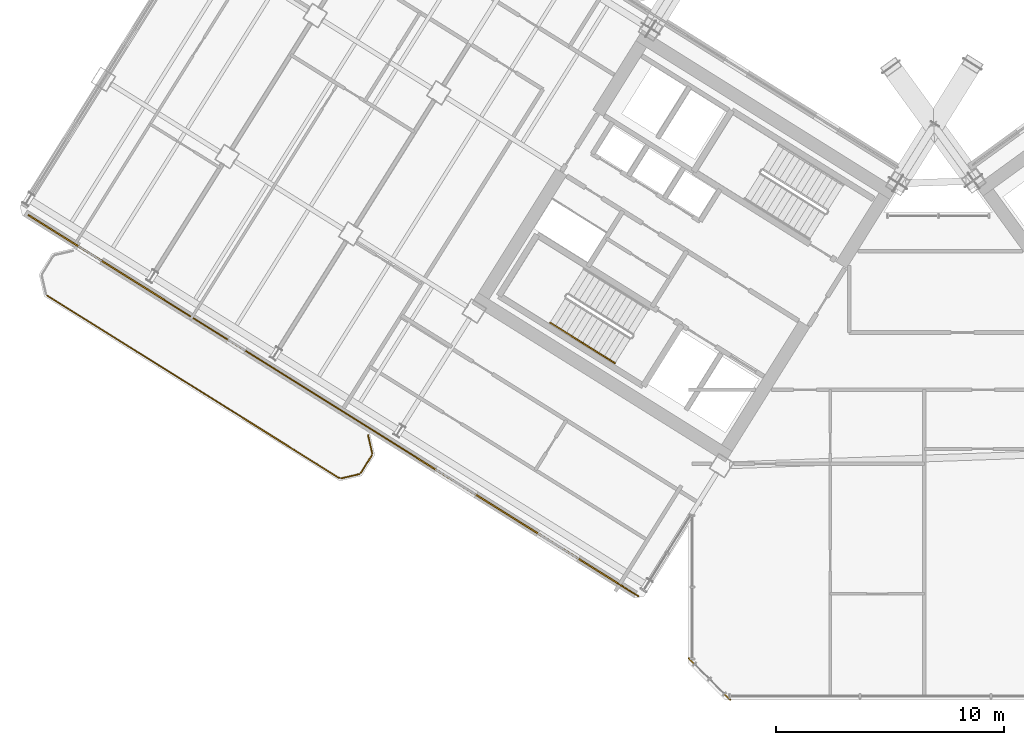
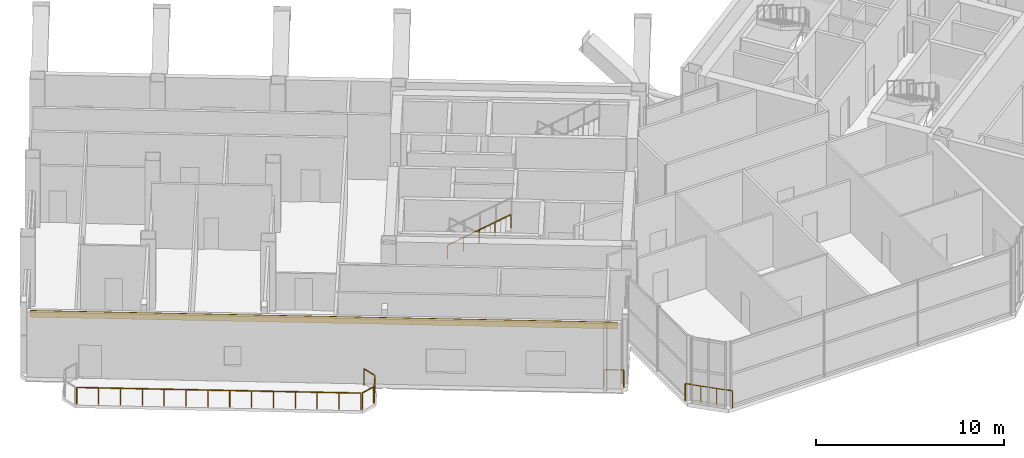
# One storey, part 28 of 34: 8 railings, 1 covering.
"""IFC4 building model written with IfcOpenShell, lengths in metres."""

from ifc_helpers import new_model, si_unit, direction, frame, origin, origin_2d, place, context, subcontext, project, spatial, rectangle, extrude, source, transform, mapped, material, layer, layer_set, type_object, element, save


model = new_model("IFC4")

# Units and contexts
model_context = context("Model", 3, precision=1e-05, world=origin(), true_north=direction((0.0, 1.0)))
body_context = subcontext(model_context, "Body", "Model", "MODEL_VIEW")
ifc_project = project(units=[si_unit("LENGTHUNIT", "METRE"), si_unit("AREAUNIT", "SQUARE_METRE"), si_unit("VOLUMEUNIT", "CUBIC_METRE"), si_unit("PLANEANGLEUNIT", "RADIAN"), si_unit("MASSUNIT", "GRAM", prefix="KILO")], contexts=[model_context])

# Site, building, storey
site_placement = place(None, origin())
site = spatial("IfcSite", under=ifc_project, at=site_placement, CompositionType="ELEMENT")
building_placement = place(site_placement, origin())
building = spatial("IfcBuilding", under=site, at=building_placement, Name="Tlacorven Tower", CompositionType="ELEMENT")
storey_placement = place(building_placement, frame((0.0, 0.0, 174.89990234375)))
storey = spatial("IfcBuildingStorey", under=building, at=storey_placement, Name="L44", CompositionType="ELEMENT", Elevation=174.89990234375)

# Railings
ifc_material_1 = material(Name="Aluminium and painted steel balustrade", Category="steel")
railing_type_1 = type_object("IfcRailingType", Name="RL-BAL-1100", PredefinedType="BALUSTRADE", material=ifc_material_1)
shared_shape_1 = source(origin(), body_context, "Body", "SweptSolid", [
    extrude(rectangle(XDim=0.048095703125, YDim=0.048095703125, at=origin_2d()), frame((0.0, 0.0, 1.076171875), z_axis=(0.225058334816, -0.974345290916, 0.0), x_axis=(0.974345290916, 0.225058334816, 0.0)), (0.0, 0.0, 1.0), 0.80712890625),
    extrude(rectangle(XDim=0.0419921875, YDim=0.0419921875, at=origin_2d()), origin(), (0.0, 0.0, 1.0), 1.052001953125),
    extrude(rectangle(XDim=0.0419921875, YDim=0.0419921875, at=origin_2d()), frame((0.181640625, -0.786376953125, 0.0)), (0.0, 0.0, 1.0), 1.052001953125),
])
railing_1_placement = place(storey_placement, frame((17.5244140625, 13.413330078125, 0.0)))
element("IfcRailing", 1, at=railing_1_placement, inside=storey, type_object=railing_type_1, Name="BAL-L44-W-OUT Guard Railing 1", PredefinedType="BALUSTRADE", context=body_context, shape_type="MappedRepresentation", body=[
    mapped(shared_shape_1, transform((0.0, 0.0, 0.0), scale=1.0)),
])
shared_shape_2 = source(origin(), body_context, "Body", "SweptSolid", [
    extrude(rectangle(XDim=0.048095703125, YDim=0.048095703125, at=origin_2d()), frame((0.0, 0.0, 1.076171875), z_axis=(-0.52987865805, -0.848073468364, 0.0), x_axis=(0.848073468364, -0.52987865805, 0.0)), (0.0, 0.0, 1.0), 0.912353515625),
    extrude(rectangle(XDim=0.0419921875, YDim=0.0419921875, at=origin_2d()), origin(), (0.0, 0.0, 1.0), 1.052001953125),
    extrude(rectangle(XDim=0.0419921875, YDim=0.0419921875, at=origin_2d()), frame((-0.4833984375, -0.773681640625, 0.0)), (0.0, 0.0, 1.0), 1.052001953125),
])
railing_2_placement = place(storey_placement, frame((17.690673828125, 12.535888671875, 0.0)))
element("IfcRailing", 2, at=railing_2_placement, inside=storey, type_object=railing_type_1, Name="BAL-L44-W-OUT Guard Railing 2", PredefinedType="BALUSTRADE", context=body_context, shape_type="MappedRepresentation", body=[
    mapped(shared_shape_2, transform((0.0, 0.0, 0.0), scale=1.0)),
])
shared_shape_3 = source(origin(), body_context, "Body", "SweptSolid", [
    extrude(rectangle(XDim=0.048095703125, YDim=0.048095703125, at=origin_2d()), frame((0.0, 0.0, 1.076171875), z_axis=(-0.974411586182, -0.224771129628, 0.0), x_axis=(0.224771129628, -0.974411586182, 0.0)), (0.0, 0.0, 1.0), 0.80712890625),
    extrude(rectangle(XDim=0.0419921875, YDim=0.0419921875, at=origin_2d()), origin(), (0.0, 0.0, 1.0), 1.052001953125),
    extrude(rectangle(XDim=0.0419921875, YDim=0.0419921875, at=origin_2d()), frame((-0.786376953125, -0.181396484375, 0.0)), (0.0, 0.0, 1.0), 1.052001953125),
])
railing_3_placement = place(storey_placement, frame((17.132080078125, 11.70849609375, 0.0)))
element("IfcRailing", 3, at=railing_3_placement, inside=storey, type_object=railing_type_1, Name="BAL-L44-W-OUT Guard Railing 3", PredefinedType="BALUSTRADE", context=body_context, shape_type="MappedRepresentation", body=[
    mapped(shared_shape_3, transform((0.0, 0.0, 0.0), scale=1.0)),
])
shared_shape_4 = source(origin(), body_context, "Body", "SweptSolid", [
    extrude(rectangle(XDim=0.048095703125, YDim=0.048095703125, at=origin_2d()), frame((0.0, 0.0, 1.076171875), z_axis=(-0.848044572804, 0.529924902733, 0.0), x_axis=(-0.529924902733, -0.848044572804, 0.0)), (0.0, 0.0, 1.0), 15.1171875),
    extrude(rectangle(XDim=0.0419921875, YDim=0.0419921875, at=origin_2d()), origin(), (0.0, 0.0, 1.0), 1.052001953125),
    extrude(rectangle(XDim=0.0419921875, YDim=0.0419921875, at=origin_2d()), frame((-0.986083984375, 0.6162109375, 0.0)), (0.0, 0.0, 1.0), 1.052001953125),
    extrude(rectangle(XDim=0.0419921875, YDim=0.0419921875, at=origin_2d()), frame((-1.972412109375, 1.232421875, 0.0)), (0.0, 0.0, 1.0), 1.052001953125),
    extrude(rectangle(XDim=0.0419921875, YDim=0.0419921875, at=origin_2d()), frame((-2.95849609375, 1.8486328125, 0.0)), (0.0, 0.0, 1.0), 1.052001953125),
    extrude(rectangle(XDim=0.0419921875, YDim=0.0419921875, at=origin_2d()), frame((-3.944580078125, 2.46484375, 0.0)), (0.0, 0.0, 1.0), 1.052001953125),
    extrude(rectangle(XDim=0.0419921875, YDim=0.0419921875, at=origin_2d()), frame((-4.930908203125, 3.0810546875, 0.0)), (0.0, 0.0, 1.0), 1.052001953125),
    extrude(rectangle(XDim=0.0419921875, YDim=0.0419921875, at=origin_2d()), frame((-5.9169921875, 3.697265625, 0.0)), (0.0, 0.0, 1.0), 1.052001953125),
    extrude(rectangle(XDim=0.0419921875, YDim=0.0419921875, at=origin_2d()), frame((-6.903076171875, 4.313720703125, 0.0)), (0.0, 0.0, 1.0), 1.052001953125),
    extrude(rectangle(XDim=0.0419921875, YDim=0.0419921875, at=origin_2d()), frame((-7.88916015625, 4.929931640625, 0.0)), (0.0, 0.0, 1.0), 1.052001953125),
    extrude(rectangle(XDim=0.0419921875, YDim=0.0419921875, at=origin_2d()), frame((-8.87548828125, 5.546142578125, 0.0)), (0.0, 0.0, 1.0), 1.052001953125),
    extrude(rectangle(XDim=0.0419921875, YDim=0.0419921875, at=origin_2d()), frame((-9.861572265625, 6.162353515625, 0.0)), (0.0, 0.0, 1.0), 1.052001953125),
    extrude(rectangle(XDim=0.0419921875, YDim=0.0419921875, at=origin_2d()), frame((-10.84765625, 6.778564453125, 0.0)), (0.0, 0.0, 1.0), 1.052001953125),
    extrude(rectangle(XDim=0.0419921875, YDim=0.0419921875, at=origin_2d()), frame((-11.833984375, 7.394775390625, 0.0)), (0.0, 0.0, 1.0), 1.052001953125),
    extrude(rectangle(XDim=0.0419921875, YDim=0.0419921875, at=origin_2d()), frame((-12.820068359375, 8.010986328125, 0.0)), (0.0, 0.0, 1.0), 1.052001953125),
])
railing_4_placement = place(storey_placement, frame((16.254638671875, 11.542236328125, 0.0)))
element("IfcRailing", 4, at=railing_4_placement, inside=storey, type_object=railing_type_1, Name="BAL-L44-W-OUT Guard Railing 4", PredefinedType="BALUSTRADE", context=body_context, shape_type="MappedRepresentation", body=[
    mapped(shared_shape_4, transform((0.0, 0.0, 0.0), scale=1.0)),
])
railing_type_2 = type_object("IfcRailingType", Name="RL-GRD-1150", PredefinedType="GUARDRAIL", material=ifc_material_1)
shared_shape_5 = source(origin(), body_context, "Body", "SweptSolid", [
    extrude(rectangle(XDim=0.048095703125, YDim=0.048095703125, at=origin_2d()), frame((0.0, 0.0, 1.1259765625), z_axis=(-0.707106781187, 0.707106781187, 0.0), x_axis=(-0.707106781187, -0.707106781187, 0.0)), (0.0, 0.0, 1.0), 2.590087890625),
    extrude(rectangle(XDim=0.0419921875, YDim=0.0419921875, at=origin_2d()), origin(), (0.0, 0.0, 1.0), 1.101806640625),
    extrude(rectangle(XDim=0.0419921875, YDim=0.0419921875, at=origin_2d()), frame((-0.610595703125, 0.610595703125, 0.0)), (0.0, 0.0, 1.0), 1.101806640625),
    extrude(rectangle(XDim=0.0419921875, YDim=0.0419921875, at=origin_2d()), frame((-1.220947265625, 1.220947265625, 0.0)), (0.0, 0.0, 1.0), 1.101806640625),
    extrude(rectangle(XDim=0.0419921875, YDim=0.0419921875, at=origin_2d()), frame((-1.83154296875, 1.83154296875, 0.0)), (0.0, 0.0, 1.0), 1.101806640625),
])
railing_5_placement = place(storey_placement, frame((33.428955078125, 1.79736328125, 0.0)))
element("IfcRailing", 5, at=railing_5_placement, inside=storey, type_object=railing_type_2, Name="L44 Knuckle Glazed Sill Guard 1", PredefinedType="GUARDRAIL", context=body_context, shape_type="MappedRepresentation", body=[
    mapped(shared_shape_5, transform((0.0, 0.0, 0.0), scale=1.0)),
])
shared_shape_6 = source(origin(), body_context, "Body", "SweptSolid", [
    extrude(rectangle(XDim=0.048095703125, YDim=0.048095703125, at=origin_2d()), frame((0.0, 0.0, 1.1259765625), z_axis=(-0.848102774857, 0.529831749973, 0.0), x_axis=(-0.529831749973, -0.848102774857, 0.0)), (0.0, 0.0, 1.0), 1.050048828125),
    extrude(rectangle(XDim=0.0419921875, YDim=0.0419921875, at=origin_2d()), origin(), (0.0, 0.0, 1.0), 1.101806640625),
    extrude(rectangle(XDim=0.0419921875, YDim=0.0419921875, at=origin_2d()), frame((-0.890625, 0.556396484375, 0.0)), (0.0, 0.0, 1.0), 1.101806640625),
])
railing_6_placement = place(storey_placement, frame((29.39501953125, 6.35009765625, 0.0)))
element("IfcRailing", 6, at=railing_6_placement, inside=storey, type_object=railing_type_2, Name="L44 Knuckle Glazed Sill Guard 2", PredefinedType="GUARDRAIL", context=body_context, shape_type="MappedRepresentation", body=[
    mapped(shared_shape_6, transform((0.0, 0.0, 0.0), scale=1.0)),
])

# Covering
ifc_material_2 = material(Name="Precast concrete C45/55", Category="concrete")
ifc_layer = layer(ifc_material_2, 0.06005859375)
ifc_layer_set = layer_set([ifc_layer], Name="Precast concrete C45/55")
covering_type = type_object("IfcCoveringType", Name="CV-CLD-TERC", PredefinedType="CLADDING", material=ifc_layer_set)
shared_shape_7 = source(origin(), body_context, "Body", "SweptSolid", [
    extrude(rectangle(XDim=31.287353515625, YDim=0.06005859375, at=origin_2d()), origin(), (0.0, 0.0, 1.0), 0.419921875),
])
covering_placement = place(storey_placement, frame((15.8740234375, 14.798828125, 3.800048828125), z_axis=(0.0, 0.0, 1.0), x_axis=(-0.84804812172, 0.529919223323, 0.0)))
element("IfcCovering", 7, at=covering_placement, inside=storey, type_object=covering_type, Name="L44 Masonry-Frame Spandrel Cladding 1", PredefinedType="CLADDING", context=body_context, shape_type="MappedRepresentation", body=[
    mapped(shared_shape_7, transform((0.0, 0.0, 0.0), scale=1.0)),
])

# Railings
railing_type_3 = type_object("IfcRailingType", Name="RL-HND-0900", PredefinedType="HANDRAIL", material=ifc_material_1)
shared_shape_8 = source(origin(), body_context, "Body", "SweptSolid", [
    extrude(rectangle(XDim=0.048095703125, YDim=0.048095703125, at=origin_2d()), frame((0.0, 0.0, 0.8759765625), z_axis=(0.721340775611, -0.4507761838, 0.52580254617), x_axis=(0.529946692594, 0.848030956397, 0.0)), (0.0, 0.0, 1.0), 1.97509765625),
    extrude(rectangle(XDim=0.0419921875, YDim=0.0419921875, at=origin_2d()), origin(), (0.0, 0.0, 1.0), 0.851806640625),
    extrude(rectangle(XDim=0.0419921875, YDim=0.0419921875, at=origin_2d()), frame((0.71240234375, -0.4453125, 0.519287109375)), (0.0, 0.0, 1.0), 0.851806640625),
    extrude(rectangle(XDim=0.0419921875, YDim=0.0419921875, at=origin_2d()), frame((1.4248046875, -0.890380859375, 1.03857421875)), (0.0, 0.0, 1.0), 0.851806640625),
])
railing_7_placement = place(storey_placement, frame((25.516357421875, 18.3603515625, 2.423095703125)))
element("IfcRailing", 8, at=railing_7_placement, inside=storey, type_object=railing_type_3, Name="L44 ST-W1 stair handrail 3", PredefinedType="HANDRAIL", context=body_context, shape_type="MappedRepresentation", body=[
    mapped(shared_shape_8, transform((0.0, 0.0, 0.0), scale=1.0)),
])
shared_shape_9 = source(origin(), body_context, "Body", "SweptSolid", [
    extrude(rectangle(XDim=0.048095703125, YDim=0.048095703125, at=origin_2d()), frame((0.0, 0.0, 0.8759765625), z_axis=(0.72136856386, -0.450747178035, 0.525789289134), x_axis=(0.529907487405, 0.848055455022, 0.0)), (0.0, 0.0, 1.0), 1.974853515625),
    extrude(rectangle(XDim=0.0419921875, YDim=0.0419921875, at=origin_2d()), origin(), (0.0, 0.0, 1.0), 0.851806640625),
    extrude(rectangle(XDim=0.0419921875, YDim=0.0419921875, at=origin_2d()), frame((0.71240234375, -0.445068359375, 0.51904296875)), (0.0, 0.0, 1.0), 0.851806640625),
    extrude(rectangle(XDim=0.0419921875, YDim=0.0419921875, at=origin_2d()), frame((1.424560546875, -0.89013671875, 1.038330078125)), (0.0, 0.0, 1.0), 0.851806640625),
])
railing_8_placement = place(storey_placement, frame((26.941162109375, 17.469970703125, 3.461669921875)))
element("IfcRailing", 9, at=railing_8_placement, inside=storey, type_object=railing_type_3, Name="L44 ST-W1 stair handrail 4", PredefinedType="HANDRAIL", context=body_context, shape_type="MappedRepresentation", body=[
    mapped(shared_shape_9, transform((0.0, 0.0, 0.0), scale=1.0)),
])

save(model, "model.ifc")
